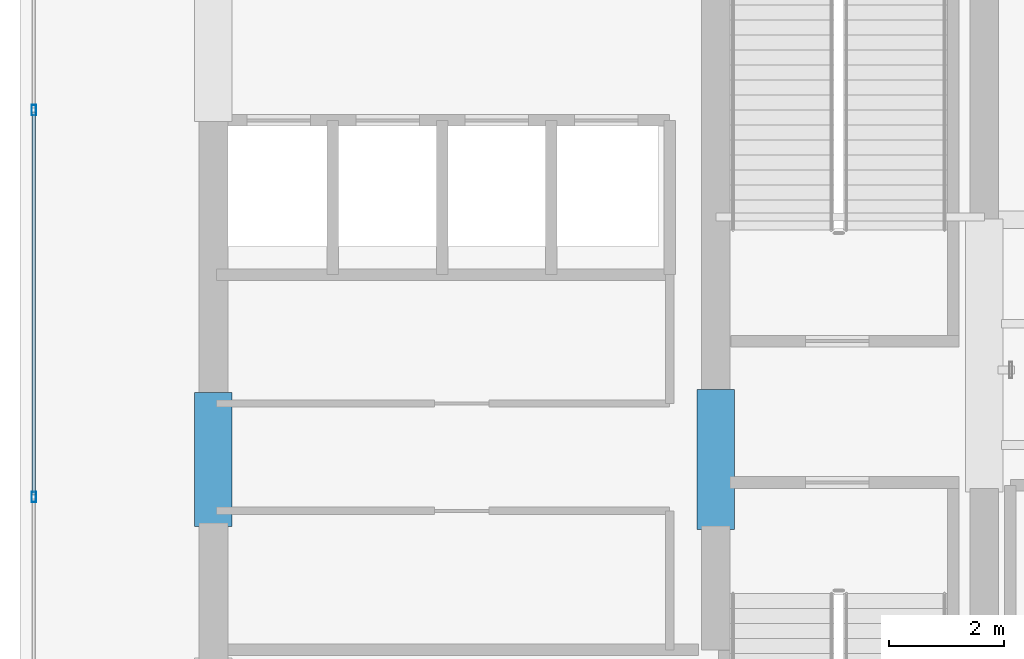
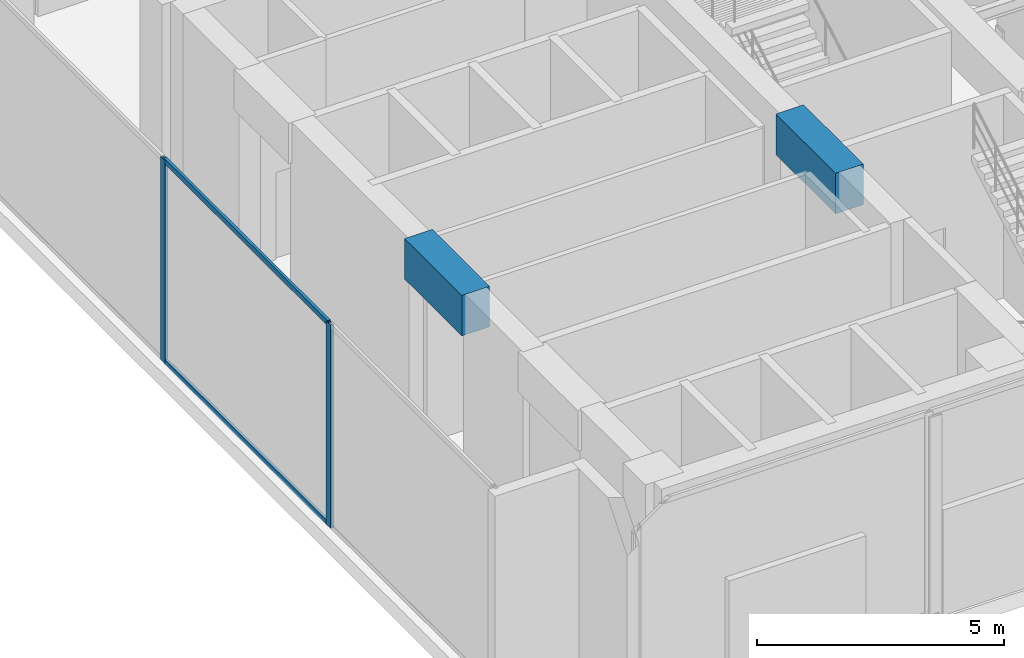
# One storey, part 4 of 29: 4 members, 2 beams, 1 element without a shape of its own.
"""IFC4 building model written with IfcOpenShell, lengths in metres."""

from ifc_helpers import new_model, si_unit, direction, frame, origin, origin_with_axes, origin_2d, place, context, subcontext, project, spatial, rectangle, hollow_rectangle, extrude, source, transform, mapped, material, layer, layer_set, material_profile, profile_set, type_object, element, aggregate, save


model = new_model("IFC4")

# Units and contexts
model_context = context("Model", 3, precision=1e-05, world=origin(), true_north=direction((0.0, 1.0)))
body_context = subcontext(model_context, "Body", "Model", "MODEL_VIEW")
ifc_project = project(units=[si_unit("LENGTHUNIT", "METRE"), si_unit("AREAUNIT", "SQUARE_METRE"), si_unit("VOLUMEUNIT", "CUBIC_METRE"), si_unit("PLANEANGLEUNIT", "RADIAN"), si_unit("MASSUNIT", "GRAM", prefix="KILO")], contexts=[model_context])

# Site, building, storey
site_placement = place(None, origin())
site = spatial("IfcSite", under=ifc_project, at=site_placement, CompositionType="ELEMENT")
building_placement = place(site_placement, origin())
building = spatial("IfcBuilding", under=site, at=building_placement, Name="Kolvaren Waterfront Exchange", CompositionType="ELEMENT")
storey_placement = place(building_placement, frame((0.0, 0.0, 338.800048828125)))
storey = spatial("IfcBuildingStorey", under=building, at=storey_placement, Name="L87", CompositionType="ELEMENT", Elevation=338.800048828125)

# Beams
ifc_material_1 = material(Name="Concrete C60/75", Category="concrete")
ifc_material_profile_1 = material_profile(ifc_material_1, rectangle(XDim=0.64990234375, YDim=1.0, at=origin_2d()), Name="RC-CB-1000x650")
ifc_profile_set_1 = profile_set([ifc_material_profile_1], Name="Concrete C60/75")
beam_type = type_object("IfcBeamType", Name="STR-CB-1000", PredefinedType="SPANDREL", material=ifc_profile_set_1)
beam_1_placement = place(storey_placement, frame((7.449951171875, 12.090087890625, 4.52001953125), z_axis=(0.0, 1.0, 0.0), x_axis=(-1.0, 0.0, 0.0)))
element("IfcBeam", 1, at=beam_1_placement, inside=storey, type_object=beam_type, Name="L87 core coupling beam 4", PredefinedType="SPANDREL", context=body_context, shape_type="SweptSolid", body=[
    extrude(rectangle(XDim=0.64990234375, YDim=1.0, at=origin_2d()), origin(), (0.0, 0.0, 1.0), 2.31982421875),
])
beam_2_placement = place(storey_placement, frame((16.14990234375, 12.0400390625, 4.52001953125), z_axis=(0.0, 1.0, 0.0), x_axis=(-1.0, 0.0, 0.0)))
element("IfcBeam", 2, at=beam_2_placement, inside=storey, type_object=beam_type, Name="L87 core coupling beam 6", PredefinedType="SPANDREL", context=body_context, shape_type="SweptSolid", body=[
    extrude(rectangle(XDim=0.64990234375, YDim=1.0, at=origin_2d()), origin(), (0.0, 0.0, 1.0), 2.419921875),
])

# Curtain wall, members
ifc_material_2 = material(Name="Anodised dark bronze spandrel aluminium", Category="aluminium")
ifc_layer = layer(ifc_material_2, 0.219970703125, Name="Anodised dark bronze spandrel aluminium")
ifc_layer_set = layer_set([ifc_layer], Name="Anodised dark bronze spandrel aluminium")
curtain_wall_type = type_object("IfcCurtainWallType", Name="ARC-CW-SYS6", PredefinedType="USERDEFINED", material=ifc_layer_set)
curtain_wall_placement = place(storey_placement, origin())
curtain_wall = element("IfcCurtainWall", 3, at=curtain_wall_placement, inside=storey, type_object=curtain_wall_type, Name="L87 stick curtain wall CW6 (CW-L87-W)", ObjectType="STICK CURTAIN WALL", PredefinedType="USERDEFINED")
ifc_material_3 = material(Name="Anodised bronze aluminium 6063-T6", Category="aluminium")
ifc_material_profile_2 = material_profile(ifc_material_3, hollow_rectangle(XDim=0.074951171875, YDim=0.179931640625, WallThickness=0.00439453125, at=origin_2d()), Name="ALU-MUL-180x75x4.5")
ifc_profile_set_2 = profile_set([ifc_material_profile_2], Name="Anodised bronze aluminium 6063-T6")
member_type_1 = type_object("IfcMemberType", Name="ARC-CWM-180", PredefinedType="MULLION", material=ifc_profile_set_2)
shared_shape_1 = source(origin_with_axes(), body_context, "Body", "SweptSolid", [
    extrude(hollow_rectangle(XDim=0.074951171875, YDim=0.179931640625, WallThickness=0.00439453125, at=origin_2d()), origin(), (0.0, 0.0, 1.0), 5.02001953125),
])
member_1_placement = place(storey_placement, frame((4.340087890625, 12.60009765625, 0.0), z_axis=(0.0, 0.0, 1.0), x_axis=(-1.0, 0.0, 0.0)))
member_1 = element("IfcMember", 4, at=member_1_placement, type_object=member_type_1, Name="CW6 mullion 2", PredefinedType="MULLION", context=body_context, shape_type="MappedRepresentation", body=[
    mapped(shared_shape_1, transform((0.0, 0.0, 0.0), x_axis=(1.0, 0.0, 0.0), y_axis=(0.0, 1.0, 0.0), z_axis=(0.0, 0.0, 1.0), scale=1.0)),
])
member_2_placement = place(storey_placement, frame((4.340087890625, 19.300048828125, 0.0), z_axis=(0.0, 0.0, 1.0), x_axis=(-1.0, 0.0, 0.0)))
member_2 = element("IfcMember", 5, at=member_2_placement, type_object=member_type_1, Name="CW6 mullion 3", PredefinedType="MULLION", context=body_context, shape_type="MappedRepresentation", body=[
    mapped(shared_shape_1, transform((0.0, 0.0, 0.0), x_axis=(1.0, 0.0, 0.0), y_axis=(0.0, 1.0, 0.0), z_axis=(0.0, 0.0, 1.0), scale=1.0)),
])
ifc_material_profile_3 = material_profile(ifc_material_3, hollow_rectangle(XDim=0.06494140625, YDim=0.1298828125, WallThickness=0.00390625, at=origin_2d()), Name="ALU-TRN-130x65x4")
ifc_profile_set_3 = profile_set([ifc_material_profile_3], Name="Anodised bronze aluminium 6063-T6")
member_type_2 = type_object("IfcMemberType", Name="ARC-CWT-130", PredefinedType="USERDEFINED", material=ifc_profile_set_3)
shared_shape_2 = source(origin_with_axes(), body_context, "Body", "SweptSolid", [
    extrude(hollow_rectangle(XDim=0.06494140625, YDim=0.1298828125, WallThickness=0.00390625, at=origin_2d()), origin(), (0.0, 0.0, 1.0), 6.625),
])
member_3_placement = place(storey_placement, frame((4.340087890625, 12.637451171875, 0.032470703125), z_axis=(0.0, 1.0, 0.0), x_axis=(-1.0, 0.0, 0.0)))
member_3 = element("IfcMember", 6, at=member_3_placement, type_object=member_type_2, Name="CW6 transom 2.1", ObjectType="TRANSOM", PredefinedType="USERDEFINED", context=body_context, shape_type="MappedRepresentation", body=[
    mapped(shared_shape_2, transform((0.0, 0.0, 0.0), x_axis=(1.0, 0.0, 0.0), y_axis=(0.0, 1.0, 0.0), z_axis=(0.0, 0.0, 1.0), scale=1.0)),
])
member_4_placement = place(storey_placement, frame((4.340087890625, 12.637451171875, 4.987548828125), z_axis=(0.0, 1.0, 0.0), x_axis=(-1.0, 0.0, 0.0)))
member_4 = element("IfcMember", 7, at=member_4_placement, type_object=member_type_2, Name="CW6 transom 2.2", ObjectType="TRANSOM", PredefinedType="USERDEFINED", context=body_context, shape_type="MappedRepresentation", body=[
    mapped(shared_shape_2, transform((0.0, 0.0, 0.0), x_axis=(1.0, 0.0, 0.0), y_axis=(0.0, 1.0, 0.0), z_axis=(0.0, 0.0, 1.0), scale=1.0)),
])
aggregate(curtain_wall, [member_1, member_2, member_3, member_4])

save(model, "model.ifc")
